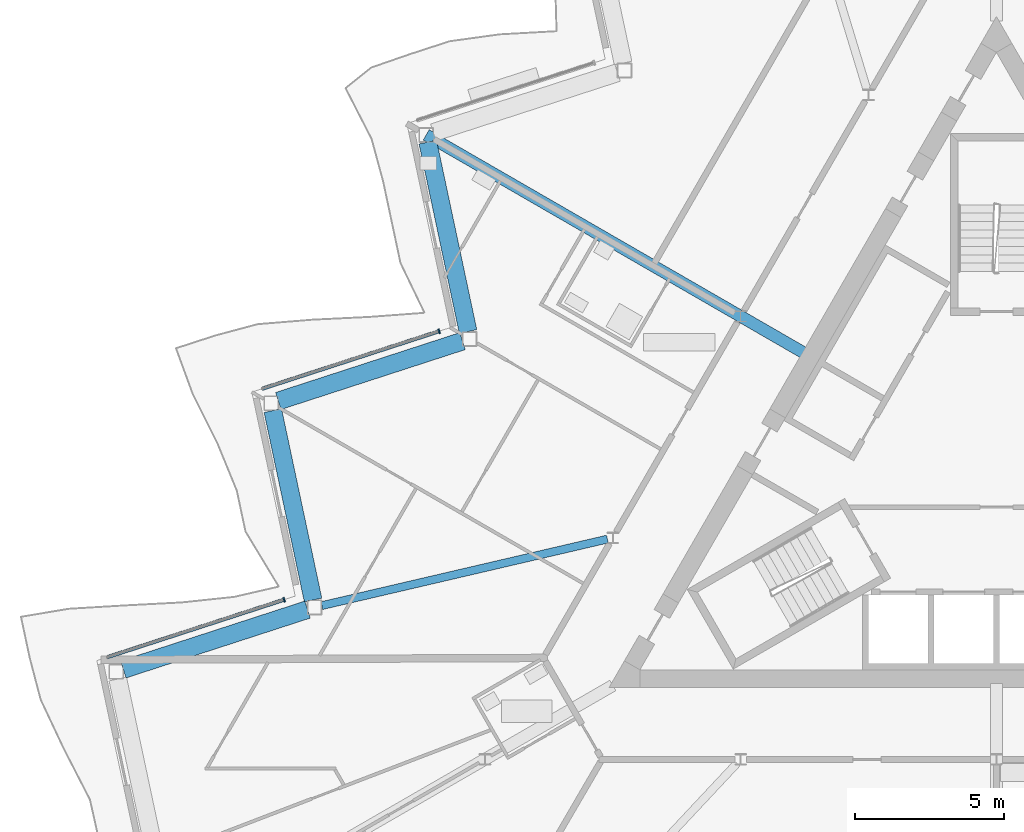
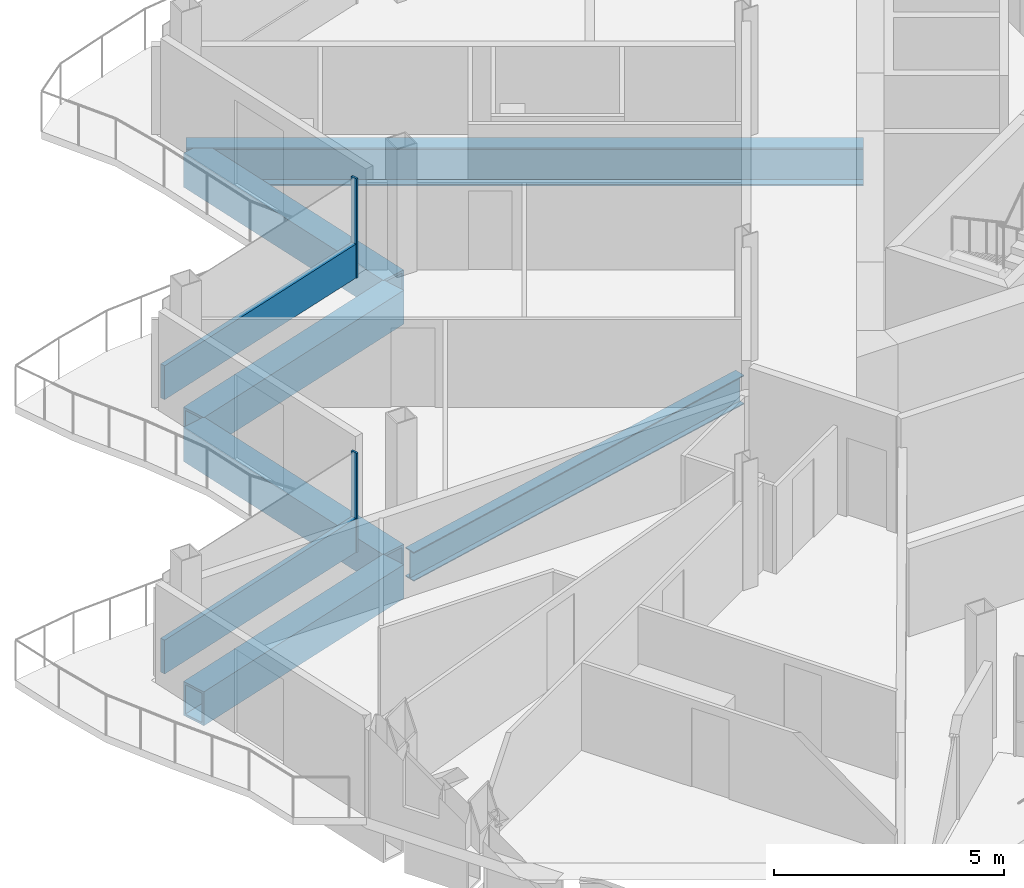
# One storey, part 6 of 27: 5 beams, 5 members, 2 elements without a shape of their own.
"""IFC4 building model written with IfcOpenShell, lengths in metres."""

from ifc_helpers import new_model, si_unit, direction, frame, origin, origin_2d, place, context, subcontext, project, spatial, rectangle, hollow_rectangle, i_section, extrude, material, layer, layer_set, material_profile, profile_set, type_object, element, aggregate, save


model = new_model("IFC4")

# Units and contexts
model_context = context("Model", 3, precision=1e-05, world=origin(), true_north=direction((0.0, 1.0)))
body_context = subcontext(model_context, "Body", "Model", "MODEL_VIEW")
ifc_project = project(units=[si_unit("LENGTHUNIT", "METRE"), si_unit("AREAUNIT", "SQUARE_METRE"), si_unit("VOLUMEUNIT", "CUBIC_METRE"), si_unit("PLANEANGLEUNIT", "RADIAN"), si_unit("MASSUNIT", "GRAM", prefix="KILO")], contexts=[model_context])

# Site, building, storey
site_placement = place(None, origin())
site = spatial("IfcSite", under=ifc_project, at=site_placement, CompositionType="ELEMENT")
building_placement = place(site_placement, origin())
building = spatial("IfcBuilding", under=site, at=building_placement, Name="Cormorant Prow Tower", CompositionType="ELEMENT")
storey_placement = place(building_placement, frame((0.0, 0.0, 361.0)))
storey = spatial("IfcBuildingStorey", under=building, at=storey_placement, Name="L80", CompositionType="ELEMENT", Elevation=361.0)

# Beams
ifc_material_1 = material(Name="Structural steel ASTM A572 Gr 50", Category="steel")
ifc_material_profile_1 = material_profile(ifc_material_1, hollow_rectangle(XDim=0.60009765625, YDim=0.89990234375, WallThickness=0.06005859375, at=origin_2d()), Name="Box 900x600x60")
ifc_profile_set_1 = profile_set([ifc_material_profile_1], Name="Structural steel ASTM A572 Gr 50")
beam_type_1 = type_object("IfcBeamType", Name="Belt truss top chord 900x600x60", PredefinedType="BEAM", material=ifc_profile_set_1)
for number, where, z_axis, x_axis, name in (
    (1, (-19.07666015625, 10.79931640625, -0.75), (0.207909538847, -0.978148058147, 0.0), (0.978148058147, 0.207909538847, 0.0), "Belt truss top chord TC2 WNW05-WNW06 L80"),
    (2, (-17.91162109375, 4.122314453125, -0.75), (-0.951053396625, -0.309026595569, 0.0), (0.309026595569, -0.951053396625, 0.0), "Belt truss top chord TC2 WNW06-WNW07 L80"),
    (3, (-24.276611328125, 1.792724609375, -0.75), (0.207909538847, -0.978148058147, 0.0), (0.978148058147, 0.207909538847, 0.0), "Belt truss top chord TC2 WNW07-WNW08 L80"),
    (4, (-23.111572265625, -4.88427734375, -0.75), (-0.951053396625, -0.309026595569, 0.0), (0.309026595569, -0.951053396625, 0.0), "Belt truss top chord TC2 WNW08-WNW09 L80"),
):
    element("IfcBeam", number, at=place(storey_placement, frame(where, z_axis=z_axis, x_axis=x_axis)), inside=storey, type_object=beam_type_1, Name=name, PredefinedType="BEAM", context=body_context, shape_type="SweptSolid", body=[
        extrude(hollow_rectangle(XDim=0.60009765625, YDim=0.89990234375, WallThickness=0.06005859375, at=origin_2d()), origin(), (0.0, 0.0, 1.0), 6.497314453125),
    ])

# Member
ifc_material_2 = material(Name="Structural steel ASTM A992 Gr 50", Category="steel")
ifc_material_profile_2 = material_profile(ifc_material_2, i_section(OverallWidth=0.39990234375, OverallDepth=1.000244140625, WebThickness=0.01904296875, FlangeThickness=0.0361328125, at=origin_2d()), Name="W40x249")
ifc_profile_set_2 = profile_set([ifc_material_profile_2], Name="Structural steel ASTM A992 Gr 50")
member_type_1 = type_object("IfcMemberType", Name="Outrigger chord W40x249", PredefinedType="CHORD", material=ifc_profile_set_2)
member_1_placement = place(storey_placement, frame((-6.3701171875, 3.677734375, -0.800048828125), z_axis=(-0.866023593455, 0.500003135569, 0.0), x_axis=(-0.500003135569, -0.866023593455, 0.0)))
element("IfcMember", 5, at=member_1_placement, inside=storey, type_object=member_type_1, Name="Outrigger top chord 2 L80", PredefinedType="CHORD", context=body_context, shape_type="SweptSolid", body=[
    extrude(i_section(OverallWidth=0.39990234375, OverallDepth=1.000244140625, WebThickness=0.01904296875, FlangeThickness=0.0361328125, at=origin_2d()), origin(), (0.0, 0.0, 1.0), 14.732421875),
])

# Beam
ifc_material_3 = material(Name="Structural steel ASTM A992 Gr 50", Category="steel")
ifc_material_profile_3 = material_profile(ifc_material_3, i_section(OverallWidth=0.267822265625, OverallDepth=0.77001953125, WebThickness=0.015625, FlangeThickness=0.025390625, at=origin_2d()), Name="W30x132")
ifc_profile_set_3 = profile_set([ifc_material_profile_3], Name="Structural steel ASTM A992 Gr 50")
beam_type_2 = type_object("IfcBeamType", Name="Radial floor beam W30x132", PredefinedType="BEAM", material=ifc_profile_set_3)
beam_placement = place(storey_placement, frame((-13.0498046875, -2.518798828125, -0.68505859375), z_axis=(-0.973926084128, -0.226865560752, 0.0), x_axis=(0.226865560752, -0.973926084128, 0.0)))
element("IfcBeam", 6, at=beam_placement, inside=storey, type_object=beam_type_2, Name="Radial floor beam FB3 4 L80", PredefinedType="BEAM", context=body_context, shape_type="SweptSolid", body=[
    extrude(i_section(OverallWidth=0.267822265625, OverallDepth=0.77001953125, WebThickness=0.015625, FlangeThickness=0.025390625, at=origin_2d()), origin(), (0.0, 0.0, 1.0), 9.837158203125),
])

# Curtain wall, member
ifc_material_4 = material(Name="Aluminium 6063-T6", Category="aluminium")
ifc_layer = layer(ifc_material_4, 0.159912109375)
ifc_layer_set = layer_set([ifc_layer], Name="Aluminium 6063-T6")
curtain_wall_type = type_object("IfcCurtainWallType", Name="Residential unitised curtain wall 160", PredefinedType="NOTDEFINED", material=ifc_layer_set)
curtain_wall_1_placement = place(storey_placement, origin())
curtain_wall_1 = element("IfcCurtainWall", 7, at=curtain_wall_1_placement, inside=storey, type_object=curtain_wall_type, Name="Residential curtain wall WNW06", PredefinedType="NOTDEFINED")
ifc_material_5 = material(Name="Aluminium 6063-T6", Category="aluminium")
ifc_material_profile_4 = material_profile(ifc_material_5, rectangle(XDim=0.159912109375, YDim=0.050048828125, at=origin_2d()), Name="Residential mullion 50x160")
ifc_profile_set_4 = profile_set([ifc_material_profile_4], Name="Aluminium 6063-T6")
member_type_2 = type_object("IfcMemberType", Name="Residential mullion 50x160", PredefinedType="MULLION", material=ifc_profile_set_4)
member_2_placement = place(storey_placement, frame((-18.696533203125, 4.45458984375, 0.0), z_axis=(0.0, 0.0, 1.0), x_axis=(0.309017024369, -0.951056506549, 0.0)))
member_2 = element("IfcMember", 8, at=member_2_placement, type_object=member_type_2, Name="Residential mullion WNW06", PredefinedType="MULLION", context=body_context, shape_type="SweptSolid", body=[
    extrude(rectangle(XDim=0.159912109375, YDim=0.050048828125, at=origin_2d()), origin(), (0.0, 0.0, 1.0), 2.6337890625),
])

curtain_wall_2_placement = place(storey_placement, origin())
curtain_wall_2 = element("IfcCurtainWall", 9, at=curtain_wall_2_placement, inside=storey, type_object=curtain_wall_type, Name="Residential curtain wall WNW08", PredefinedType="NOTDEFINED")
member_3_placement = place(storey_placement, frame((-23.896484375, -4.55224609375, 0.0), z_axis=(0.0, 0.0, 1.0), x_axis=(0.309017024369, -0.951056506549, 0.0)))
member_3 = element("IfcMember", 10, at=member_3_placement, type_object=member_type_2, Name="Residential mullion WNW08", PredefinedType="MULLION", context=body_context, shape_type="SweptSolid", body=[
    extrude(rectangle(XDim=0.159912109375, YDim=0.050048828125, at=origin_2d()), origin(), (0.0, 0.0, 1.0), 2.6337890625),
])

# Member
ifc_material_6 = material(Name="Terracotta", Category="masonry")
ifc_material_profile_5 = material_profile(ifc_material_6, rectangle(XDim=0.1201171875, YDim=0.89990234375, at=origin_2d()), Name="Residential terracotta spandrel rail 120x900")
ifc_profile_set_5 = profile_set([ifc_material_profile_5], Name="Terracotta")
member_type_3 = type_object("IfcMemberType", Name="Residential terracotta spandrel rail 120x900", PredefinedType="USERDEFINED", material=ifc_profile_set_5)
member_4_placement = place(storey_placement, frame((-18.720458984375, 4.44677734375, 0.449951171875), z_axis=(-0.951052253526, -0.309030113522, 0.0), x_axis=(0.309030113522, -0.951052253526, 0.0)))
member_4 = element("IfcMember", 11, at=member_4_placement, type_object=member_type_3, Name="Residential spandrel rail WNW06", ObjectType="TRANSOM", PredefinedType="USERDEFINED", context=body_context, shape_type="SweptSolid", body=[
    extrude(rectangle(XDim=0.1201171875, YDim=0.89990234375, at=origin_2d()), origin(), (0.0, 0.0, 1.0), 6.215087890625),
])

aggregate(curtain_wall_1, [member_2, member_4])

member_5_placement = place(storey_placement, frame((-23.92041015625, -4.559814453125, 0.449951171875), z_axis=(-0.951056004715, -0.309018568854, 0.0), x_axis=(0.309018568854, -0.951056004715, 0.0)))
member_5 = element("IfcMember", 12, at=member_5_placement, type_object=member_type_3, Name="Residential spandrel rail WNW08", ObjectType="TRANSOM", PredefinedType="USERDEFINED", context=body_context, shape_type="SweptSolid", body=[
    extrude(rectangle(XDim=0.1201171875, YDim=0.89990234375, at=origin_2d()), origin(), (0.0, 0.0, 1.0), 6.21533203125),
])

aggregate(curtain_wall_2, [member_3, member_5])

save(model, "model.ifc")
